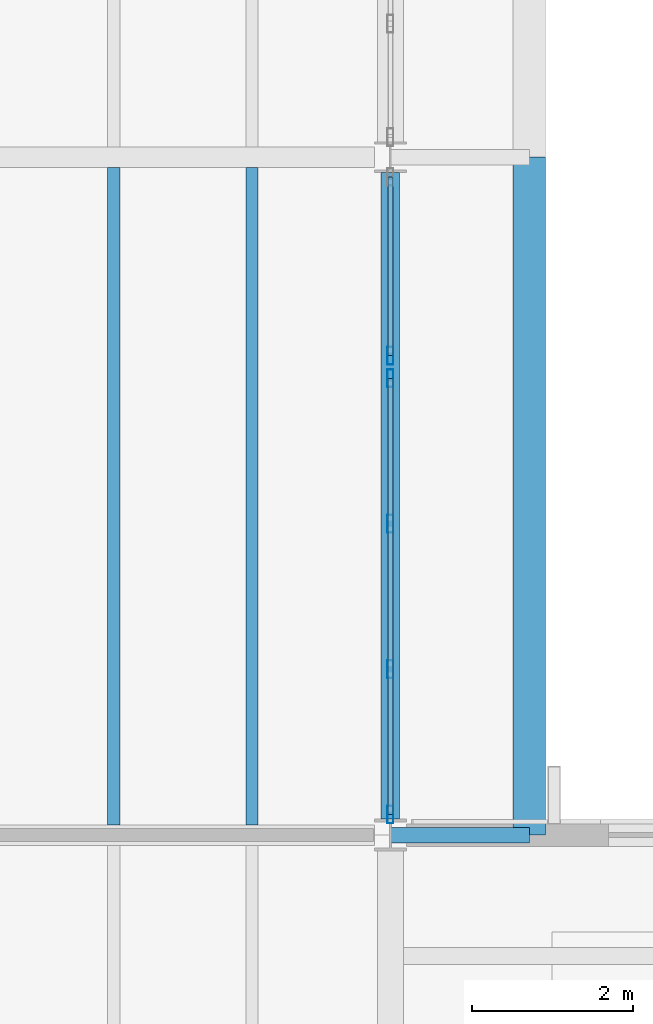
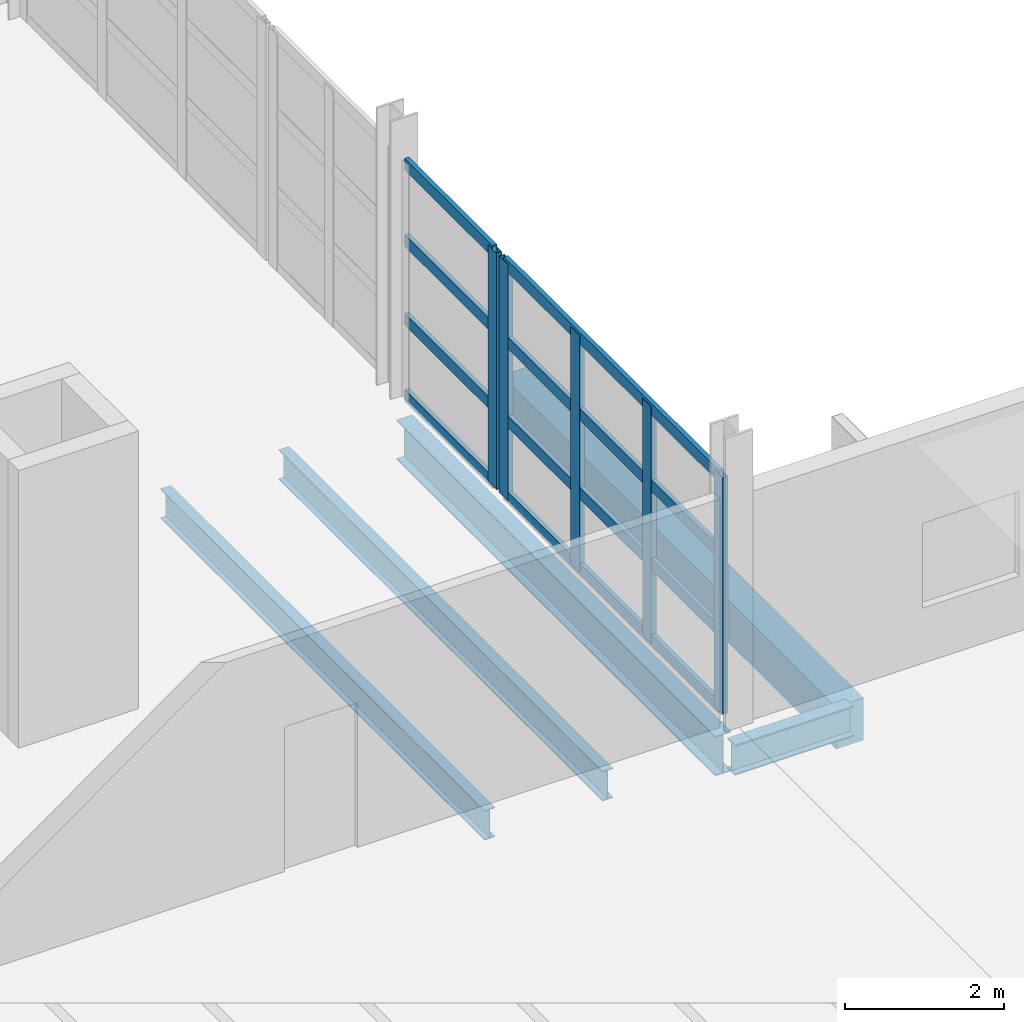
# One storey, part 69 of 114: 13 members, 5 beams, 2 elements without a shape of their own.
"""IFC4 building model written with IfcOpenShell, lengths in metres."""

import ifcopenshell
import ifcopenshell.guid

model = None  # the IFC model being written
_history = None  # IfcOwnerHistory: only IFC2X3 demands one
_inside = {}  # id of a spatial element -> (the spatial element, [elements in it])
_under = {}  # id of a project, library or spatial element -> (it, [spatial elements below it])
_declared = {}  # id of a project -> (the project, [libraries it declares])
_typed = {}  # id of a type object -> (the type object, [elements of that type])
_made_of = {}  # id of a material, layer set ... -> (it, [elements and type objects made of it])


def new_model(schema):
    """Start an empty IFC model of exactly this schema.

    Asked for "IFC4X3", IfcOpenShell would pick the latest addendum, in which some entities
    have other attributes; the version numbers below select the first issue.
    IFC2X3 requires an IfcOwnerHistory on every rooted entity: one is made here for all.
    """
    global model, _history
    if schema == "IFC4X3":
        model = ifcopenshell.file(schema_version=(4, 3, 0, 0))
    else:
        model = ifcopenshell.file(schema=schema)
    _inside.clear()
    _under.clear()
    _declared.clear()
    _typed.clear()
    _made_of.clear()
    _history = None
    if model.schema == "IFC2X3":
        org = make("IfcOrganization", Name="unknown")
        user = make(
            "IfcPersonAndOrganization",
            ThePerson=make("IfcPerson", FamilyName="unknown"),
            TheOrganization=org,
        )
        app = make(
            "IfcApplication",
            ApplicationDeveloper=org,
            Version="unknown",
            ApplicationFullName="unknown",
            ApplicationIdentifier="unknown",
        )
        _history = make(
            "IfcOwnerHistory",
            OwningUser=user,
            OwningApplication=app,
            ChangeAction="ADDED",
            CreationDate=0,
        )
    return model


def make(cls, **values):
    """One entity of the class cls with the attributes given. An attribute that is None is left unset."""
    return model.create_entity(
        cls, **{name: value for name, value in values.items() if value is not None}
    )


def rooted(cls, **values):
    """An entity with a GlobalId (a new one), such as an element, a storey or a relation."""
    return make(cls, GlobalId=ifcopenshell.guid.new(), OwnerHistory=_history, **values)


def si_unit(unit_type, name, prefix=None):
    """IfcSIUnit, for example si_unit("LENGTHUNIT", "METRE", prefix="MILLI")."""
    return make("IfcSIUnit", UnitType=unit_type, Prefix=prefix, Name=name)


def assignment(units):
    """IfcUnitAssignment: the units of a project."""
    return None if units is None else make("IfcUnitAssignment", Units=units)


def point(xyz):
    """IfcCartesianPoint."""
    return None if xyz is None else make("IfcCartesianPoint", Coordinates=xyz)


def direction(xyz):
    """IfcDirection."""
    return None if xyz is None else make("IfcDirection", DirectionRatios=xyz)


def frame(location, z_axis=None, x_axis=None):
    """IfcAxis2Placement3D, a coordinate frame: its origin and axes. An axis left out is left unset."""
    return make(
        "IfcAxis2Placement3D",
        Location=point(location),
        Axis=direction(z_axis),
        RefDirection=direction(x_axis),
    )


def frame_2d(location, x_axis=None):
    """IfcAxis2Placement2D, a coordinate frame in the plane: its origin and x axis."""
    return make(
        "IfcAxis2Placement2D", Location=point(location), RefDirection=direction(x_axis)
    )


def origin():
    """The frame at (0, 0, 0) with its axes left unset."""
    return frame((0.0, 0.0, 0.0))


def origin_2d():
    """The frame at (0, 0) in the plane with its x axis left unset."""
    return frame_2d((0.0, 0.0))


def place(relative_to, where):
    """IfcLocalPlacement: puts the frame where relative to a parent placement (None: the world)."""
    return make(
        "IfcLocalPlacement", PlacementRelTo=relative_to, RelativePlacement=where
    )


def context(
    kind, dimensions, precision=None, world=None, true_north=None, identifier=None
):
    """IfcGeometricRepresentationContext, for example the 3D "Model" context."""
    return make(
        "IfcGeometricRepresentationContext",
        ContextIdentifier=identifier,
        ContextType=kind,
        CoordinateSpaceDimension=dimensions,
        Precision=precision,
        WorldCoordinateSystem=world,
        TrueNorth=true_north,
    )


def subcontext(parent, identifier, kind, view, scale=None):
    """IfcGeometricRepresentationSubContext, for example "Body" below "Model"."""
    return make(
        "IfcGeometricRepresentationSubContext",
        ContextIdentifier=identifier,
        ContextType=kind,
        ParentContext=parent,
        TargetScale=scale,
        TargetView=view,
    )


def project(units=None, contexts=None):
    """IfcProject with its units and contexts."""
    return rooted(
        "IfcProject",
        Name="project",
        RepresentationContexts=contexts,
        UnitsInContext=assignment(units),
    )


def spatial(cls, under=None, at=None, **own):
    """A site, building, storey or space (cls), placed at a placement, below another one or the project."""
    s = rooted(cls, ObjectPlacement=at, **own)
    if under is not None:
        _under.setdefault(under.id(), (under, []))[1].append(s)
    return s


def profile(cls, at=None, kind="AREA", **sizes):
    """A parametric profile (cls). Its sizes go by their IFC names, for example OverallWidth=200.0."""
    return make(cls, ProfileType=kind, Position=at, **sizes)


def rectangle(**sizes):
    """IfcRectangleProfileDef."""
    return profile("IfcRectangleProfileDef", **sizes)


def hollow_rectangle(**sizes):
    """IfcRectangleHollowProfileDef."""
    return profile("IfcRectangleHollowProfileDef", **sizes)


def i_section(**sizes):
    """IfcIShapeProfileDef."""
    return profile("IfcIShapeProfileDef", **sizes)


def extrude(swept, where, along, depth):
    """IfcExtrudedAreaSolid: the profile swept, set in the frame where, extruded along a direction by depth."""
    return make(
        "IfcExtrudedAreaSolid",
        SweptArea=swept,
        Position=where,
        ExtrudedDirection=direction(along),
        Depth=depth,
    )


def shape(context_of_items, identifier, shape_type, items):
    """IfcShapeRepresentation: the items that make up one representation, for example the "Body"."""
    return make(
        "IfcShapeRepresentation",
        ContextOfItems=context_of_items,
        RepresentationIdentifier=identifier,
        RepresentationType=shape_type,
        Items=items,
    )


def material(Name=None, Category=None):
    """IfcMaterial."""
    return make("IfcMaterial", Name=Name, Category=Category)


def material_profile(
    of_material, cross_section, Name=None, Category=None, Priority=None
):
    """IfcMaterialProfile: a cross section and its material."""
    return make(
        "IfcMaterialProfile",
        Name=Name,
        Material=of_material,
        Profile=cross_section,
        Priority=Priority,
        Category=Category,
    )


def profile_set(profiles, Name=None, composite=None):
    """IfcMaterialProfileSet."""
    return make(
        "IfcMaterialProfileSet",
        Name=Name,
        MaterialProfiles=profiles,
        CompositeProfile=composite,
    )


def made_of(thing, what):
    """Note that an element or type object is made of a material, layer set ...; save() writes the relation."""
    if what is not None:
        _made_of.setdefault(what.id(), (what, []))[1].append(thing)
    return thing


def type_object(cls, material=None, **own):
    """A type object (cls), such as IfcWallType, which elements share."""
    return made_of(rooted(cls, **own), material)


def element(
    cls,
    number,
    at=None,
    inside=None,
    cuts=None,
    type_object=None,
    material=None,
    context=None,
    identifier="Body",
    shape_type=None,
    held_by="IfcProductDefinitionShape",
    body=None,
    shapes=None,
    **own,
):
    """One element of the class cls, such as IfcWall. Its Tag is "e" and its number.

    at: its placement. inside: the storey or other place that contains it. cuts: it is an
    opening in that element (IfcRelVoidsElement). A single representation is given by context,
    identifier, shape_type and body (its items); several are given by shapes. held_by: the class
    of the entity that holds the representations. save() writes the other relations.
    """
    e = rooted(cls, Tag="e%d" % number, ObjectPlacement=at, **own)
    if body is not None:
        shapes = [shape(context, identifier, shape_type, body)]
    if shapes is not None:
        e.Representation = make(held_by, Representations=shapes)
    if inside is not None:
        _inside.setdefault(inside.id(), (inside, []))[1].append(e)
    if cuts is not None:
        rooted(
            "IfcRelVoidsElement", RelatingBuildingElement=cuts, RelatedOpeningElement=e
        )
    if type_object is not None:
        _typed.setdefault(type_object.id(), (type_object, []))[1].append(e)
    return made_of(e, material)


def aggregate(whole, parts):
    """IfcRelAggregates: a whole, such as a stair, and the parts it consists of."""
    return rooted("IfcRelAggregates", RelatingObject=whole, RelatedObjects=parts)


def save(model, path):
    """Write the relations noted so far, then the file.

    IfcRelAggregates (storeys below a building ...), IfcRelContainedInSpatialStructure (elements
    in a storey), IfcRelDefinesByType, IfcRelAssociatesMaterial and IfcRelDeclares: one each for
    every whole, place, type object, material and project.
    """
    for whole, parts in _under.values():
        aggregate(whole, parts)
    for where, things in _inside.values():
        rooted(
            "IfcRelContainedInSpatialStructure",
            RelatedElements=things,
            RelatingStructure=where,
        )
    for kind, things in _typed.values():
        rooted("IfcRelDefinesByType", RelatedObjects=things, RelatingType=kind)
    for what, things in _made_of.values():
        rooted("IfcRelAssociatesMaterial", RelatedObjects=things, RelatingMaterial=what)
    for by, libraries in _declared.values():
        rooted("IfcRelDeclares", RelatingContext=by, RelatedDefinitions=libraries)
    model.write(path)


model = new_model("IFC4")

# Units and contexts
model_context = context("Model", 3, precision=1e-05, world=origin(), true_north=direction((0.0, 1.0)))
body_context = subcontext(model_context, "Body", "Model", "MODEL_VIEW")
ifc_project = project(units=[si_unit("LENGTHUNIT", "METRE"), si_unit("AREAUNIT", "SQUARE_METRE"), si_unit("VOLUMEUNIT", "CUBIC_METRE"), si_unit("PLANEANGLEUNIT", "RADIAN"), si_unit("MASSUNIT", "GRAM", prefix="KILO")], contexts=[model_context])

# Site, building, storey
site_placement = place(None, origin())
site = spatial("IfcSite", under=ifc_project, at=site_placement, CompositionType="ELEMENT")
building_placement = place(site_placement, origin())
building = spatial("IfcBuilding", under=site, at=building_placement, Name="Kelmvaro Bay Concert Hall", CompositionType="ELEMENT")
storey_placement = place(building_placement, frame((0.0, 0.0, 4.800048828125)))
storey = spatial("IfcBuildingStorey", under=building, at=storey_placement, Name="L01", CompositionType="ELEMENT", Elevation=4.800048828125)

# Beams
ifc_material_1 = material(Name="Concrete C40/50", Category="concrete")
ifc_material_profile_1 = material_profile(ifc_material_1, rectangle(XDim=0.39990234375, YDim=0.64990234375, at=origin_2d()), Name="RC-BM-400X650")
ifc_profile_set_1 = profile_set([ifc_material_profile_1], Name="Concrete C40/50")
beam_type_1 = type_object("IfcBeamType", Name="Canopy Edge Concrete Beam RC400x650", PredefinedType="BEAM", material=ifc_profile_set_1)
beam_1_placement = place(storey_placement, frame((133.719970703125, 39.0, -0.6650390625), z_axis=(0.0, 1.0, 0.0), x_axis=(-1.0, 0.0, 0.0)))
element("IfcBeam", 1, at=beam_1_placement, inside=storey, type_object=beam_type_1, Name="Storm Eave Fascia Beam EBL-08", PredefinedType="BEAM", context=body_context, shape_type="SweptSolid", body=[
    extrude(rectangle(XDim=0.39990234375, YDim=0.64990234375, at=origin_2d()), origin(), (0.0, 0.0, 1.0), 8.39990234375),
])
ifc_material_2 = material(Name="Steel ASTM A992 Grade 50", Category="steel")
ifc_material_profile_2 = material_profile(ifc_material_2, i_section(OverallWidth=0.19189453125, OverallDepth=0.4619140625, WebThickness=0.010498046875, FlangeThickness=0.017578125, at=origin_2d()), Name="W18X60")
ifc_profile_set_2 = profile_set([ifc_material_profile_2], Name="Steel ASTM A992 Grade 50")
beam_type_2 = type_object("IfcBeamType", Name="Canopy Primary Frame Beam W18x60", PredefinedType="BEAM", material=ifc_profile_set_2)
beam_2_placement = place(storey_placement, frame((132.0, 39.0, -0.571044921875), z_axis=(1.0, 0.0, 0.0), x_axis=(0.0, 1.0, 0.0)))
element("IfcBeam", 2, at=beam_2_placement, inside=storey, type_object=beam_type_2, Name="Storm Eave Cantilever Bracket EBL-10", PredefinedType="BEAM", context=body_context, shape_type="SweptSolid", body=[
    extrude(i_section(OverallWidth=0.19189453125, OverallDepth=0.4619140625, WebThickness=0.010498046875, FlangeThickness=0.017578125, at=origin_2d()), origin(), (0.0, 0.0, 1.0), 1.719970703125),
])

# Curtain wall, members
ifc_material_3 = material(Name="Anodised Aluminium and Low-E Insulated Glazing", Category="aluminium")
curtain_wall_type = type_object("IfcCurtainWallType", Name="Mezzanine Concourse Curtain Wall 4100", PredefinedType="USERDEFINED", material=ifc_material_3)
curtain_wall_1_placement = place(storey_placement, origin())
curtain_wall_1 = element("IfcCurtainWall", 3, at=curtain_wall_1_placement, inside=storey, type_object=curtain_wall_type, Name="Unitised Curtain Wall CW-L01-110", ObjectType="UNITISED GLAZING", PredefinedType="USERDEFINED")
ifc_material_4 = material(Name="Anodised Extruded Aluminium 6063-T6", Category="aluminium")
ifc_material_profile_3 = material_profile(ifc_material_4, hollow_rectangle(XDim=0.074951171875, YDim=0.219970703125, WallThickness=0.00439453125, at=origin_2d()), Name="ALU-MUL-220X75")
ifc_profile_set_3 = profile_set([ifc_material_profile_3], Name="Anodised Extruded Aluminium 6063-T6")
member_type_1 = type_object("IfcMemberType", Name="Curtain Mullion Heavy ALU 220x75", PredefinedType="MULLION", material=ifc_profile_set_3)
member_1_placement = place(storey_placement, frame((132.0, 44.659912109375, 0.0), z_axis=(0.0, 0.0, 1.0), x_axis=(1.0, 0.0, 0.0)))
member_1 = element("IfcMember", 4, at=member_1_placement, type_object=member_type_1, Name="CW-L01-110 Mullion 01", PredefinedType="MULLION", context=body_context, shape_type="SweptSolid", body=[
    extrude(hollow_rectangle(XDim=0.074951171875, YDim=0.219970703125, WallThickness=0.00439453125, at=origin_2d()), origin(), (0.0, 0.0, 1.0), 3.6279296875),
])
member_2_placement = place(storey_placement, frame((132.0, 42.858154296875, 0.0), z_axis=(0.0, 0.0, 1.0), x_axis=(1.0, 0.0, 0.0)))
member_2 = element("IfcMember", 5, at=member_2_placement, type_object=member_type_1, Name="CW-L01-110 Mullion 02", PredefinedType="MULLION", context=body_context, shape_type="SweptSolid", body=[
    extrude(hollow_rectangle(XDim=0.074951171875, YDim=0.219970703125, WallThickness=0.00439453125, at=origin_2d()), origin(), (0.0, 0.0, 1.0), 3.6279296875),
])
member_3_placement = place(storey_placement, frame((132.0, 41.056396484375, 0.0), z_axis=(0.0, 0.0, 1.0), x_axis=(1.0, 0.0, 0.0)))
member_3 = element("IfcMember", 6, at=member_3_placement, type_object=member_type_1, Name="CW-L01-110 Mullion 03", PredefinedType="MULLION", context=body_context, shape_type="SweptSolid", body=[
    extrude(hollow_rectangle(XDim=0.074951171875, YDim=0.219970703125, WallThickness=0.00439453125, at=origin_2d()), origin(), (0.0, 0.0, 1.0), 3.6279296875),
])
member_4_placement = place(storey_placement, frame((132.0, 39.25439453125, 0.0), z_axis=(0.0, 0.0, 1.0), x_axis=(1.0, 0.0, 0.0)))
member_4 = element("IfcMember", 7, at=member_4_placement, type_object=member_type_1, Name="CW-L01-110 Mullion 04", PredefinedType="MULLION", context=body_context, shape_type="SweptSolid", body=[
    extrude(hollow_rectangle(XDim=0.074951171875, YDim=0.219970703125, WallThickness=0.00439453125, at=origin_2d()), origin(), (0.0, 0.0, 1.0), 3.6279296875),
])

# Curtain wall, member
curtain_wall_2_placement = place(storey_placement, origin())
curtain_wall_2 = element("IfcCurtainWall", 8, at=curtain_wall_2_placement, inside=storey, type_object=curtain_wall_type, Name="Unitised Curtain Wall CW-L01-114", ObjectType="UNITISED GLAZING", PredefinedType="USERDEFINED")
member_5_placement = place(storey_placement, frame((132.0, 44.93994140625, 0.0), z_axis=(0.0, 0.0, 1.0), x_axis=(1.0, 0.0, 0.0)))
member_5 = element("IfcMember", 9, at=member_5_placement, type_object=member_type_1, Name="CW-L01-114 Mullion 02", PredefinedType="MULLION", context=body_context, shape_type="SweptSolid", body=[
    extrude(hollow_rectangle(XDim=0.074951171875, YDim=0.219970703125, WallThickness=0.00439453125, at=origin_2d()), origin(), (0.0, 0.0, 1.0), 3.6279296875),
])

# Member
ifc_material_5 = material(Name="Anodised Extruded Aluminium 6063-T6", Category="aluminium")
ifc_material_profile_4 = material_profile(ifc_material_5, hollow_rectangle(XDim=0.06494140625, YDim=0.179931640625, WallThickness=0.00439453125, at=origin_2d()), Name="ALU-TRN-180X65")
ifc_profile_set_4 = profile_set([ifc_material_profile_4], Name="Anodised Extruded Aluminium 6063-T6")
member_type_2 = type_object("IfcMemberType", Name="Curtain Transom Heavy ALU 180x65", PredefinedType="USERDEFINED", material=ifc_profile_set_4)
member_6_placement = place(storey_placement, frame((132.0, 44.659912109375, 0.0400390625), z_axis=(0.0, -1.0, 0.0), x_axis=(1.0, 0.0, 0.0)))
member_6 = element("IfcMember", 10, at=member_6_placement, type_object=member_type_2, Name="CW-L01-110 Transom 01", ObjectType="TRANSOM", PredefinedType="USERDEFINED", context=body_context, shape_type="SweptSolid", body=[
    extrude(hollow_rectangle(XDim=0.06494140625, YDim=0.179931640625, WallThickness=0.00439453125, at=origin_2d()), origin(), (0.0, 0.0, 1.0), 5.405517578125),
])

member_7_placement = place(storey_placement, frame((132.0, 44.659912109375, 1.209228515625), z_axis=(0.0, -1.0, 0.0), x_axis=(1.0, 0.0, 0.0)))
member_7 = element("IfcMember", 11, at=member_7_placement, type_object=member_type_2, Name="CW-L01-110 Transom 02", ObjectType="TRANSOM", PredefinedType="USERDEFINED", context=body_context, shape_type="SweptSolid", body=[
    extrude(hollow_rectangle(XDim=0.06494140625, YDim=0.179931640625, WallThickness=0.00439453125, at=origin_2d()), origin(), (0.0, 0.0, 1.0), 5.405517578125),
])

member_8_placement = place(storey_placement, frame((132.0, 44.659912109375, 2.418701171875), z_axis=(0.0, -1.0, 0.0), x_axis=(1.0, 0.0, 0.0)))
member_8 = element("IfcMember", 12, at=member_8_placement, type_object=member_type_2, Name="CW-L01-110 Transom 03", ObjectType="TRANSOM", PredefinedType="USERDEFINED", context=body_context, shape_type="SweptSolid", body=[
    extrude(hollow_rectangle(XDim=0.06494140625, YDim=0.179931640625, WallThickness=0.00439453125, at=origin_2d()), origin(), (0.0, 0.0, 1.0), 5.405517578125),
])

member_9_placement = place(storey_placement, frame((132.0, 44.659912109375, 3.587890625), z_axis=(0.0, -1.0, 0.0), x_axis=(1.0, 0.0, 0.0)))
member_9 = element("IfcMember", 13, at=member_9_placement, type_object=member_type_2, Name="CW-L01-110 Transom 04", ObjectType="TRANSOM", PredefinedType="USERDEFINED", context=body_context, shape_type="SweptSolid", body=[
    extrude(hollow_rectangle(XDim=0.06494140625, YDim=0.179931640625, WallThickness=0.00439453125, at=origin_2d()), origin(), (0.0, 0.0, 1.0), 5.405517578125),
])

aggregate(curtain_wall_1, [member_1, member_2, member_3, member_4, member_6, member_7, member_8, member_9])

member_10_placement = place(storey_placement, frame((132.0, 47.154541015625, 0.0400390625), z_axis=(0.0, -1.0, 0.0), x_axis=(1.0, 0.0, 0.0)))
member_10 = element("IfcMember", 14, at=member_10_placement, type_object=member_type_2, Name="CW-L01-114 Transom 01", ObjectType="TRANSOM", PredefinedType="USERDEFINED", context=body_context, shape_type="SweptSolid", body=[
    extrude(hollow_rectangle(XDim=0.06494140625, YDim=0.179931640625, WallThickness=0.00439453125, at=origin_2d()), origin(), (0.0, 0.0, 1.0), 2.214599609375),
])

member_11_placement = place(storey_placement, frame((132.0, 47.154541015625, 1.209228515625), z_axis=(0.0, -1.0, 0.0), x_axis=(1.0, 0.0, 0.0)))
member_11 = element("IfcMember", 15, at=member_11_placement, type_object=member_type_2, Name="CW-L01-114 Transom 02", ObjectType="TRANSOM", PredefinedType="USERDEFINED", context=body_context, shape_type="SweptSolid", body=[
    extrude(hollow_rectangle(XDim=0.06494140625, YDim=0.179931640625, WallThickness=0.00439453125, at=origin_2d()), origin(), (0.0, 0.0, 1.0), 2.214599609375),
])

member_12_placement = place(storey_placement, frame((132.0, 47.154541015625, 2.418701171875), z_axis=(0.0, -1.0, 0.0), x_axis=(1.0, 0.0, 0.0)))
member_12 = element("IfcMember", 16, at=member_12_placement, type_object=member_type_2, Name="CW-L01-114 Transom 03", ObjectType="TRANSOM", PredefinedType="USERDEFINED", context=body_context, shape_type="SweptSolid", body=[
    extrude(hollow_rectangle(XDim=0.06494140625, YDim=0.179931640625, WallThickness=0.00439453125, at=origin_2d()), origin(), (0.0, 0.0, 1.0), 2.214599609375),
])

member_13_placement = place(storey_placement, frame((132.0, 47.154541015625, 3.587890625), z_axis=(0.0, -1.0, 0.0), x_axis=(1.0, 0.0, 0.0)))
member_13 = element("IfcMember", 17, at=member_13_placement, type_object=member_type_2, Name="CW-L01-114 Transom 04", ObjectType="TRANSOM", PredefinedType="USERDEFINED", context=body_context, shape_type="SweptSolid", body=[
    extrude(hollow_rectangle(XDim=0.06494140625, YDim=0.179931640625, WallThickness=0.00439453125, at=origin_2d()), origin(), (0.0, 0.0, 1.0), 2.214599609375),
])

aggregate(curtain_wall_2, [member_5, member_10, member_11, member_12, member_13])

# Beams
ifc_material_6 = material(Name="Steel ASTM A992 Grade 50", Category="steel")
ifc_material_profile_5 = material_profile(ifc_material_6, i_section(OverallWidth=0.152099609375, OverallDepth=0.455078125, WebThickness=0.008056640625, FlangeThickness=0.01318359375, at=origin_2d()), Name="W18X40")
ifc_profile_set_5 = profile_set([ifc_material_profile_5], Name="Steel ASTM A992 Grade 50")
beam_type_3 = type_object("IfcBeamType", Name="Foyer Concourse Floor Joist W18x40", PredefinedType="JOIST", material=ifc_profile_set_5)
for number, where, z_axis, x_axis, name in (
    (18, (128.5712890625, 39.1279296875, -0.4775390625), (0.0, 1.0, 0.0), (-1.0, 0.0, 0.0), "L01 Floor Joist JST-L01-0458"),
    (19, (130.28564453125, 39.1279296875, -0.4775390625), (0.0, 1.0, 0.0), (-1.0, 0.0, 0.0), "L01 Floor Joist JST-L01-0459"),
):
    element("IfcBeam", number, at=place(storey_placement, frame(where, z_axis=z_axis, x_axis=x_axis)), inside=storey, type_object=beam_type_3, Name=name, PredefinedType="JOIST", context=body_context, shape_type="SweptSolid", body=[
        extrude(i_section(OverallWidth=0.152099609375, OverallDepth=0.455078125, WebThickness=0.008056640625, FlangeThickness=0.01318359375, at=origin_2d()), origin(), (0.0, 0.0, 1.0), 8.14404296875),
    ])
ifc_material_7 = material(Name="Steel ASTM A992 Grade 50", Category="steel")
ifc_material_profile_6 = material_profile(ifc_material_7, i_section(OverallWidth=0.22900390625, OverallDepth=0.612060546875, WebThickness=0.011962890625, FlangeThickness=0.01953125, at=origin_2d()), Name="W24X84")
ifc_profile_set_6 = profile_set([ifc_material_profile_6], Name="Steel ASTM A992 Grade 50")
beam_type_4 = type_object("IfcBeamType", Name="Terrace Edge Girder W24x84", PredefinedType="BEAM", material=ifc_profile_set_6)
beam_3_placement = place(storey_placement, frame((132.0, 39.199462890625, -0.64599609375), z_axis=(0.0, 1.0, 0.0), x_axis=(-1.0, 0.0, 0.0)))
element("IfcBeam", 20, at=beam_3_placement, inside=storey, type_object=beam_type_4, Name="L01 Girder BM-L01-NS-0196", PredefinedType="BEAM", context=body_context, shape_type="SweptSolid", body=[
    extrude(i_section(OverallWidth=0.22900390625, OverallDepth=0.612060546875, WebThickness=0.011962890625, FlangeThickness=0.01953125, at=origin_2d()), origin(), (0.0, 0.0, 1.0), 8.010009765625),
])

save(model, "model.ifc")
